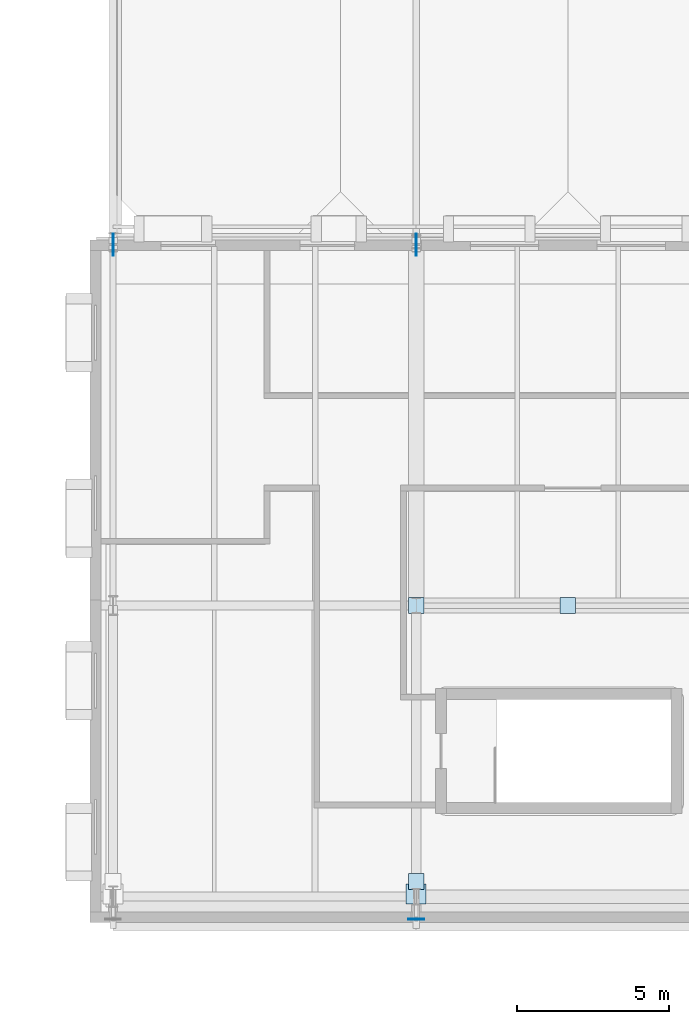
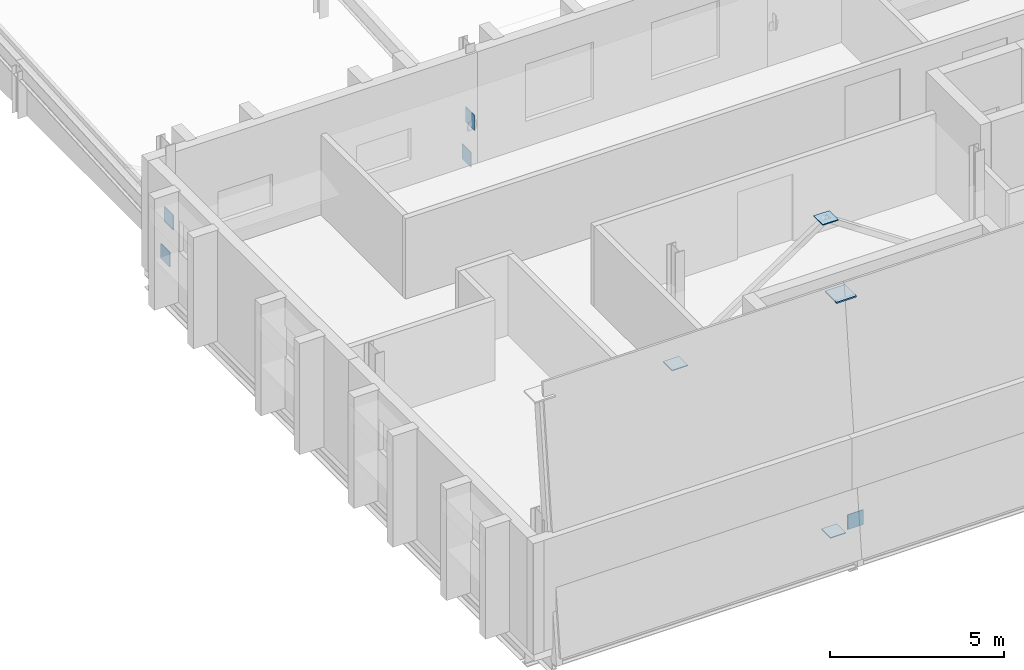
# One storey, part 39 of 57: 9 plates.
"""IFC4 building model written with IfcOpenShell, lengths in metres."""

import ifcopenshell
import ifcopenshell.guid

model = None  # the IFC model being written
_history = None  # IfcOwnerHistory: only IFC2X3 demands one
_inside = {}  # id of a spatial element -> (the spatial element, [elements in it])
_under = {}  # id of a project, library or spatial element -> (it, [spatial elements below it])
_declared = {}  # id of a project -> (the project, [libraries it declares])
_typed = {}  # id of a type object -> (the type object, [elements of that type])
_made_of = {}  # id of a material, layer set ... -> (it, [elements and type objects made of it])


def new_model(schema):
    """Start an empty IFC model of exactly this schema.

    Asked for "IFC4X3", IfcOpenShell would pick the latest addendum, in which some entities
    have other attributes; the version numbers below select the first issue.
    IFC2X3 requires an IfcOwnerHistory on every rooted entity: one is made here for all.
    """
    global model, _history
    if schema == "IFC4X3":
        model = ifcopenshell.file(schema_version=(4, 3, 0, 0))
    else:
        model = ifcopenshell.file(schema=schema)
    _inside.clear()
    _under.clear()
    _declared.clear()
    _typed.clear()
    _made_of.clear()
    _history = None
    if model.schema == "IFC2X3":
        org = make("IfcOrganization", Name="unknown")
        user = make(
            "IfcPersonAndOrganization",
            ThePerson=make("IfcPerson", FamilyName="unknown"),
            TheOrganization=org,
        )
        app = make(
            "IfcApplication",
            ApplicationDeveloper=org,
            Version="unknown",
            ApplicationFullName="unknown",
            ApplicationIdentifier="unknown",
        )
        _history = make(
            "IfcOwnerHistory",
            OwningUser=user,
            OwningApplication=app,
            ChangeAction="ADDED",
            CreationDate=0,
        )
    return model


def make(cls, **values):
    """One entity of the class cls with the attributes given. An attribute that is None is left unset."""
    return model.create_entity(
        cls, **{name: value for name, value in values.items() if value is not None}
    )


def rooted(cls, **values):
    """An entity with a GlobalId (a new one), such as an element, a storey or a relation."""
    return make(cls, GlobalId=ifcopenshell.guid.new(), OwnerHistory=_history, **values)


def si_unit(unit_type, name, prefix=None):
    """IfcSIUnit, for example si_unit("LENGTHUNIT", "METRE", prefix="MILLI")."""
    return make("IfcSIUnit", UnitType=unit_type, Prefix=prefix, Name=name)


def assignment(units):
    """IfcUnitAssignment: the units of a project."""
    return None if units is None else make("IfcUnitAssignment", Units=units)


def point(xyz):
    """IfcCartesianPoint."""
    return None if xyz is None else make("IfcCartesianPoint", Coordinates=xyz)


def direction(xyz):
    """IfcDirection."""
    return None if xyz is None else make("IfcDirection", DirectionRatios=xyz)


def frame(location, z_axis=None, x_axis=None):
    """IfcAxis2Placement3D, a coordinate frame: its origin and axes. An axis left out is left unset."""
    return make(
        "IfcAxis2Placement3D",
        Location=point(location),
        Axis=direction(z_axis),
        RefDirection=direction(x_axis),
    )


def frame_2d(location, x_axis=None):
    """IfcAxis2Placement2D, a coordinate frame in the plane: its origin and x axis."""
    return make(
        "IfcAxis2Placement2D", Location=point(location), RefDirection=direction(x_axis)
    )


def origin():
    """The frame at (0, 0, 0) with its axes left unset."""
    return frame((0.0, 0.0, 0.0))


def origin_2d():
    """The frame at (0, 0) in the plane with its x axis left unset."""
    return frame_2d((0.0, 0.0))


def place(relative_to, where):
    """IfcLocalPlacement: puts the frame where relative to a parent placement (None: the world)."""
    return make(
        "IfcLocalPlacement", PlacementRelTo=relative_to, RelativePlacement=where
    )


def context(
    kind, dimensions, precision=None, world=None, true_north=None, identifier=None
):
    """IfcGeometricRepresentationContext, for example the 3D "Model" context."""
    return make(
        "IfcGeometricRepresentationContext",
        ContextIdentifier=identifier,
        ContextType=kind,
        CoordinateSpaceDimension=dimensions,
        Precision=precision,
        WorldCoordinateSystem=world,
        TrueNorth=true_north,
    )


def subcontext(parent, identifier, kind, view, scale=None):
    """IfcGeometricRepresentationSubContext, for example "Body" below "Model"."""
    return make(
        "IfcGeometricRepresentationSubContext",
        ContextIdentifier=identifier,
        ContextType=kind,
        ParentContext=parent,
        TargetScale=scale,
        TargetView=view,
    )


def project(units=None, contexts=None):
    """IfcProject with its units and contexts."""
    return rooted(
        "IfcProject",
        Name="project",
        RepresentationContexts=contexts,
        UnitsInContext=assignment(units),
    )


def spatial(cls, under=None, at=None, **own):
    """A site, building, storey or space (cls), placed at a placement, below another one or the project."""
    s = rooted(cls, ObjectPlacement=at, **own)
    if under is not None:
        _under.setdefault(under.id(), (under, []))[1].append(s)
    return s


def profile(cls, at=None, kind="AREA", **sizes):
    """A parametric profile (cls). Its sizes go by their IFC names, for example OverallWidth=200.0."""
    return make(cls, ProfileType=kind, Position=at, **sizes)


def rectangle(**sizes):
    """IfcRectangleProfileDef."""
    return profile("IfcRectangleProfileDef", **sizes)


def extrude(swept, where, along, depth):
    """IfcExtrudedAreaSolid: the profile swept, set in the frame where, extruded along a direction by depth."""
    return make(
        "IfcExtrudedAreaSolid",
        SweptArea=swept,
        Position=where,
        ExtrudedDirection=direction(along),
        Depth=depth,
    )


def shape(context_of_items, identifier, shape_type, items):
    """IfcShapeRepresentation: the items that make up one representation, for example the "Body"."""
    return make(
        "IfcShapeRepresentation",
        ContextOfItems=context_of_items,
        RepresentationIdentifier=identifier,
        RepresentationType=shape_type,
        Items=items,
    )


def material(Name=None, Category=None):
    """IfcMaterial."""
    return make("IfcMaterial", Name=Name, Category=Category)


def layer(
    of_material, thickness, ventilated=None, Name=None, Category=None, Priority=None
):
    """IfcMaterialLayer: one layer of a wall or slab, of a material (None: an air gap)."""
    return make(
        "IfcMaterialLayer",
        Material=of_material,
        LayerThickness=thickness,
        IsVentilated=ventilated,
        Name=Name,
        Category=Category,
        Priority=Priority,
    )


def layer_set(layers, Name=None):
    """IfcMaterialLayerSet."""
    return make("IfcMaterialLayerSet", MaterialLayers=layers, LayerSetName=Name)


def made_of(thing, what):
    """Note that an element or type object is made of a material, layer set ...; save() writes the relation."""
    if what is not None:
        _made_of.setdefault(what.id(), (what, []))[1].append(thing)
    return thing


def type_object(cls, material=None, **own):
    """A type object (cls), such as IfcWallType, which elements share."""
    return made_of(rooted(cls, **own), material)


def element(
    cls,
    number,
    at=None,
    inside=None,
    cuts=None,
    type_object=None,
    material=None,
    context=None,
    identifier="Body",
    shape_type=None,
    held_by="IfcProductDefinitionShape",
    body=None,
    shapes=None,
    **own,
):
    """One element of the class cls, such as IfcWall. Its Tag is "e" and its number.

    at: its placement. inside: the storey or other place that contains it. cuts: it is an
    opening in that element (IfcRelVoidsElement). A single representation is given by context,
    identifier, shape_type and body (its items); several are given by shapes. held_by: the class
    of the entity that holds the representations. save() writes the other relations.
    """
    e = rooted(cls, Tag="e%d" % number, ObjectPlacement=at, **own)
    if body is not None:
        shapes = [shape(context, identifier, shape_type, body)]
    if shapes is not None:
        e.Representation = make(held_by, Representations=shapes)
    if inside is not None:
        _inside.setdefault(inside.id(), (inside, []))[1].append(e)
    if cuts is not None:
        rooted(
            "IfcRelVoidsElement", RelatingBuildingElement=cuts, RelatedOpeningElement=e
        )
    if type_object is not None:
        _typed.setdefault(type_object.id(), (type_object, []))[1].append(e)
    return made_of(e, material)


def aggregate(whole, parts):
    """IfcRelAggregates: a whole, such as a stair, and the parts it consists of."""
    return rooted("IfcRelAggregates", RelatingObject=whole, RelatedObjects=parts)


def save(model, path):
    """Write the relations noted so far, then the file.

    IfcRelAggregates (storeys below a building ...), IfcRelContainedInSpatialStructure (elements
    in a storey), IfcRelDefinesByType, IfcRelAssociatesMaterial and IfcRelDeclares: one each for
    every whole, place, type object, material and project.
    """
    for whole, parts in _under.values():
        aggregate(whole, parts)
    for where, things in _inside.values():
        rooted(
            "IfcRelContainedInSpatialStructure",
            RelatedElements=things,
            RelatingStructure=where,
        )
    for kind, things in _typed.values():
        rooted("IfcRelDefinesByType", RelatedObjects=things, RelatingType=kind)
    for what, things in _made_of.values():
        rooted("IfcRelAssociatesMaterial", RelatedObjects=things, RelatingMaterial=what)
    for by, libraries in _declared.values():
        rooted("IfcRelDeclares", RelatingContext=by, RelatedDefinitions=libraries)
    model.write(path)


model = new_model("IFC4")

# Units and contexts
model_context = context("Model", 3, precision=1e-05, world=origin(), true_north=direction((0.0, 1.0)))
body_context = subcontext(model_context, "Body", "Model", "MODEL_VIEW")
ifc_project = project(units=[si_unit("LENGTHUNIT", "METRE"), si_unit("AREAUNIT", "SQUARE_METRE"), si_unit("VOLUMEUNIT", "CUBIC_METRE"), si_unit("PLANEANGLEUNIT", "RADIAN"), si_unit("MASSUNIT", "GRAM", prefix="KILO")], contexts=[model_context])

# Site, building, storey
site_placement = place(None, origin())
site = spatial("IfcSite", under=ifc_project, at=site_placement, CompositionType="ELEMENT")
building_placement = place(site_placement, origin())
building = spatial("IfcBuilding", under=site, at=building_placement, Name="Zereglee Splitstone Museum", CompositionType="ELEMENT")
storey_placement = place(building_placement, frame((0.0, 0.0, 17.10009765625)))
storey = spatial("IfcBuildingStorey", under=building, at=storey_placement, Name="L03", CompositionType="ELEMENT", Elevation=17.10009765625)

# Plates
ifc_material = material(Name="Steel S355J2", Category="steel")
ifc_layer_1 = layer(ifc_material, 0.030029296875)
ifc_layer_set_1 = layer_set([ifc_layer_1], Name="Steel S355J2")
plate_type_1 = type_object("IfcPlateType", Name="NP-04", PredefinedType="SHEET", material=ifc_layer_set_1)
for number, where, z_axis, x_axis, name in (
    (1, (175.199951171875, 21.60009765625, -0.110107421875), (0.0, 0.0, 1.0), (1.0, 0.0, 0.0), "Chhajja Corbel Gusset Plate RF-V4"),
    (2, (175.199951171875, 21.39990234375, 1.309814453125), (0.0, 0.0, 1.0), (1.0, 0.0, 0.0), "Chhajja Corbel Gusset Plate RF-V4"),
    (3, (185.199951171875, 21.60009765625, -0.110107421875), (0.0, 0.0, 1.0), (1.0, 0.0, 0.0), "Chhajja Corbel Gusset Plate RF-V4"),
    (4, (185.199951171875, 21.39990234375, 1.309814453125), (0.0, 0.0, 1.0), (1.0, 0.0, 0.0), "Chhajja Corbel Gusset Plate RF-V4"),
):
    element("IfcPlate", number, at=place(storey_placement, frame(where, z_axis=z_axis, x_axis=x_axis)), inside=storey, type_object=plate_type_1, Name=name, PredefinedType="SHEET", context=body_context, shape_type="SweptSolid", body=[
        extrude(rectangle(XDim=0.030029296875, YDim=0.52001953125, at=origin_2d()), origin(), (0.0, 0.0, 1.0), 0.52001953125),
    ])
for number, where, z_axis, x_axis, name in (
    (5, (185.199951171875, 9.60009765625, 0.10498046875), (0.0, 0.0, 1.0), (1.0, 0.0, 0.0), "CBF Brace Gusset Cap L03-018"),
    (6, (190.199951171875, 9.60009765625, 3.46484375), (0.0, 0.0, 1.0), (1.0, 0.0, 0.0), "CBF Brace Gusset Cap L03-018"),
    (7, (185.199951171875, 0.5, -0.2548828125), (0.0, 0.0, 1.0), (1.0, 0.0, 0.0), "Facet Tie Seal Plate FH-V3S"),
):
    element("IfcPlate", number, at=place(storey_placement, frame(where, z_axis=z_axis, x_axis=x_axis)), inside=storey, type_object=plate_type_1, Name=name, PredefinedType="SHEET", context=body_context, shape_type="SweptSolid", body=[
        extrude(rectangle(XDim=0.52001953125, YDim=0.52001953125, at=origin_2d()), origin(), (0.0, 0.0, 1.0), 0.030029296875),
    ])
plate_1_placement = place(storey_placement, frame((185.199951171875, -0.743408203125, 0.659912109375), z_axis=(0.0, 0.0, 1.0), x_axis=(1.0, 0.0, 0.0)))
element("IfcPlate", 8, at=plate_1_placement, inside=storey, type_object=plate_type_1, Name="Facet Tie Seal Plate FH-V3S", PredefinedType="SHEET", context=body_context, shape_type="SweptSolid", body=[
    extrude(rectangle(XDim=0.52001953125, YDim=0.030029296875, at=origin_2d()), origin(), (0.0, 0.0, 1.0), 0.52001953125),
])
ifc_layer_2 = layer(ifc_material, 0.050048828125)
ifc_layer_set_2 = layer_set([ifc_layer_2], Name="Steel S355J2")
plate_type_2 = type_object("IfcPlateType", Name="NP-02", PredefinedType="SHEET", material=ifc_layer_set_2)
plate_2_placement = place(storey_placement, frame((185.199951171875, 0.09130859375, 8.3046875), z_axis=(0.0, 0.0, 1.0), x_axis=(1.0, 0.0, 0.0)))
element("IfcPlate", 9, at=plate_2_placement, inside=storey, type_object=plate_type_2, Name="Facet Strut Seal Plate FH-V3S", PredefinedType="SHEET", context=body_context, shape_type="SweptSolid", body=[
    extrude(rectangle(XDim=0.659912109375, YDim=0.659912109375, at=origin_2d()), origin(), (0.0, 0.0, 1.0), 0.050048828125),
])

save(model, "model.ifc")
